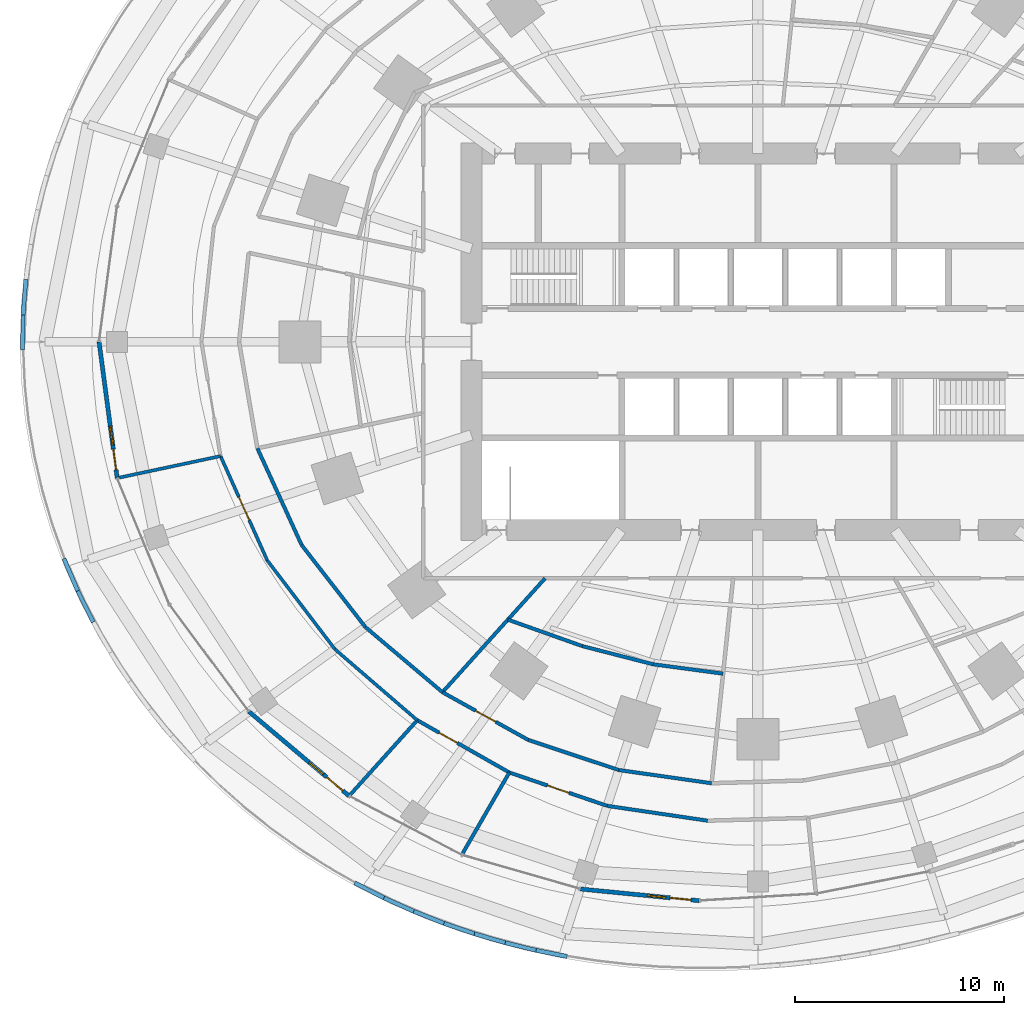
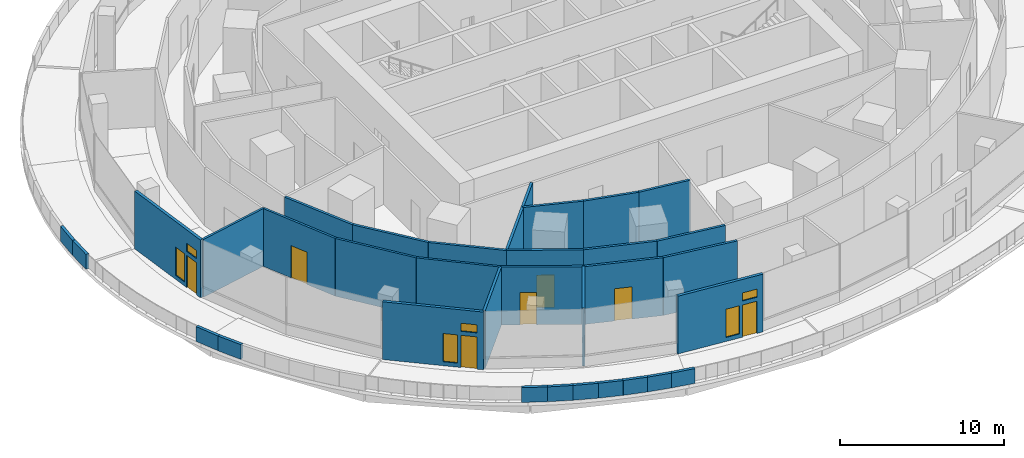
# One storey, part 16 of 26: 33 walls, 7 doors, 6 windows, 13 openings.
"""IFC4 building model written with IfcOpenShell, lengths in metres."""

from ifc_helpers import new_model, si_unit, direction, frame, frame_2d, origin, place, context, subcontext, project, spatial, rectangle, extrude, material, layer, layer_set, type_object, element, fill, save


model = new_model("IFC4")

# Units and contexts
model_context = context("Model", 3, precision=1e-05, world=origin(), true_north=direction((0.0, 1.0)))
body_context = subcontext(model_context, "Body", "Model", "MODEL_VIEW")
ifc_project = project(units=[si_unit("LENGTHUNIT", "METRE"), si_unit("AREAUNIT", "SQUARE_METRE"), si_unit("VOLUMEUNIT", "CUBIC_METRE"), si_unit("PLANEANGLEUNIT", "RADIAN"), si_unit("MASSUNIT", "GRAM", prefix="KILO")], contexts=[model_context])

# Site, building, storey
site_placement = place(None, origin())
site = spatial("IfcSite", under=ifc_project, at=site_placement, CompositionType="ELEMENT")
building_placement = place(site_placement, origin())
building = spatial("IfcBuilding", under=site, at=building_placement, Name="Marramba Exchange Tower", CompositionType="ELEMENT")
storey_placement = place(building_placement, frame((0.0, 0.0, 15.10009765625)))
storey = spatial("IfcBuildingStorey", under=building, at=storey_placement, Name="L03", CompositionType="ELEMENT", Elevation=15.10009765625)

# Walls
ifc_material_1 = material(Name="Plasterboard on staggered double steel studs, acoustic insulation", Category="steel")
ifc_layer_1 = layer(ifc_material_1, 0.169921875)
ifc_layer_set_1 = layer_set([ifc_layer_1], Name="Acoustic partition 170")
wall_type_1 = type_object("IfcWallType", Name="Acoustic partition 170", PredefinedType="PARTITIONING", material=ifc_layer_set_1)
wall_1_placement = place(storey_placement, frame((-21.816162109375, -9.713134765625, 0.0), z_axis=(0.0, 0.0, 1.0), x_axis=(-0.415942352912, 0.909390982501, 0.0)))
element("IfcWall", 1, at=wall_1_placement, inside=storey, type_object=wall_type_1, Name="Acoustic partition L03 07", PredefinedType="PARTITIONING", context=body_context, shape_type="SweptSolid", body=[
    extrude(rectangle(XDim=5.087158203125, YDim=0.169921875, at=frame_2d((2.54345703125, 0.0))), origin(), (0.0, 0.0, 1.0), 4.2998046875),
])
wall_2_placement = place(storey_placement, frame((-18.768310546875, -13.635986328125, 0.0), z_axis=(0.0, 0.0, 1.0), x_axis=(-0.613532245813, 0.789669667233, 0.0)))
element("IfcWall", 2, at=wall_2_placement, inside=storey, type_object=wall_type_1, Name="Acoustic partition L03 10", PredefinedType="PARTITIONING", context=body_context, shape_type="SweptSolid", body=[
    extrude(rectangle(XDim=4.9677734375, YDim=0.169921875, at=frame_2d((2.48388671875, 0.0))), origin(), (0.0, 0.0, 1.0), 4.2998046875),
])
wall_3_placement = place(storey_placement, frame((-15.082275390625, -16.75048828125, 0.0), z_axis=(0.0, 0.0, 1.0), x_axis=(-0.763840902497, 0.645404582935, 0.0)))
element("IfcWall", 3, at=wall_3_placement, inside=storey, type_object=wall_type_1, Name="Acoustic partition L03 12", PredefinedType="PARTITIONING", context=body_context, shape_type="SweptSolid", body=[
    extrude(rectangle(XDim=4.82568359375, YDim=0.169921875, at=frame_2d((2.412841796875, 0.0))), origin(), (0.0, 0.0, 1.0), 4.2998046875),
])
wall_4_placement = place(storey_placement, frame((-16.286865234375, -18.08837890625, 0.0), z_axis=(0.0, 0.0, 1.0), x_axis=(-0.669136360949, -0.74313964398, 0.0)))
element("IfcWall", 4, at=wall_4_placement, inside=storey, type_object=wall_type_1, Name="Acoustic partition L03 14", PredefinedType="PARTITIONING", context=body_context, shape_type="SweptSolid", body=[
    extrude(rectangle(XDim=4.79345703125, YDim=0.169921875, at=frame_2d((2.396728515625, 0.0))), origin(), (0.0, 0.0, 1.0), 4.2998046875),
])
wall_5_placement = place(storey_placement, frame((-10.174560546875, -11.300048828125, 0.0), z_axis=(0.0, 0.0, 1.0), x_axis=(-0.669139425, -0.743136885043, 0.0)))
element("IfcWall", 5, at=wall_5_placement, inside=storey, type_object=wall_type_1, Name="Acoustic partition L03 15", PredefinedType="PARTITIONING", context=body_context, shape_type="SweptSolid", body=[
    extrude(rectangle(XDim=7.33447265625, YDim=0.169921875, at=frame_2d((3.667236328125, 0.0))), origin(), (0.0, 0.0, 1.0), 4.2998046875),
])
wall_6_placement = place(storey_placement, frame((-8.39697265625, -14.5439453125, 0.0), z_axis=(0.0, 0.0, 1.0), x_axis=(-0.942296263641, 0.334780154023, 0.0)))
element("IfcWall", 6, at=wall_6_placement, inside=storey, type_object=wall_type_1, Name="Acoustic partition L03 16", PredefinedType="PARTITIONING", context=body_context, shape_type="SweptSolid", body=[
    extrude(rectangle(XDim=3.777587890625, YDim=0.169921875, at=frame_2d((1.888671875, 0.0))), origin(), (0.0, 0.0, 1.0), 4.2998046875),
])

# Wall, opening, door
wall_7_placement = place(storey_placement, frame((-10.98583984375, -19.0283203125, 0.0), z_axis=(0.0, 0.0, 1.0), x_axis=(-0.873972942057, 0.485974584266, 0.0)))
wall_7 = element("IfcWall", 7, at=wall_7_placement, inside=storey, type_object=wall_type_1, Name="Acoustic partition L03 17", PredefinedType="PARTITIONING", context=body_context, shape_type="SweptSolid", body=[
    extrude(rectangle(XDim=4.687255859375, YDim=0.169921875, at=frame_2d((2.34375, 0.0))), origin(), (0.0, 0.0, 1.0), 4.2998046875),
])
opening_1_placement = place(wall_7_placement, frame((1.76806640625, 0.0, 0.0)))
opening_1 = element("IfcOpeningElement", 8, at=opening_1_placement, cuts=wall_7, Name="Opening D15", PredefinedType="OPENING", context=body_context, shape_type="SweptSolid", body=[
    extrude(rectangle(XDim=1.10009765625, YDim=2.39990234375, at=frame_2d((0.550048828125, 1.199951171875))), frame((0.0, 0.094970703125, 0.0), z_axis=(0.0, -1.0, 0.0), x_axis=(1.0, 0.0, 0.0)), (0.0, 0.0, 1.0), 0.18994140625),
])
ifc_material_2 = material(Name="Timber door", Category="wood")
door_type_1 = type_object("IfcDoorType", Name="Glazed meeting room door 1100x2400", OperationType="SINGLE_SWING_LEFT", PredefinedType="DOOR", material=ifc_material_2)
door_1_placement = place(opening_1_placement, origin())
door_1 = element("IfcDoor", 9, at=door_1_placement, inside=storey, type_object=door_type_1, Name="D15 Meeting Room 7 L03", OperationType="SINGLE_SWING_RIGHT", OverallHeight=2.39990234375, OverallWidth=1.10009765625, PredefinedType="DOOR", context=body_context, shape_type="SweptSolid", body=[
    extrude(rectangle(XDim=1.10009765625, YDim=2.39990234375, at=frame_2d((0.550048828125, 1.199951171875))), frame((0.0, 0.02490234375, 0.0), z_axis=(0.0, -1.0, 0.0), x_axis=(1.0, 0.0, 0.0)), (0.0, 0.0, 1.0), 0.050048828125),
])
fill(opening_1, door_1)

wall_8_placement = place(storey_placement, frame((-16.286865234375, -18.08837890625, 0.0), z_axis=(0.0, 0.0, 1.0), x_axis=(0.869623219344, -0.493715967312, 0.0)))
wall_8 = element("IfcWall", 10, at=wall_8_placement, inside=storey, type_object=wall_type_1, Name="Acoustic partition L03 18", PredefinedType="PARTITIONING", context=body_context, shape_type="SweptSolid", body=[
    extrude(rectangle(XDim=5.060791015625, YDim=0.169921875, at=frame_2d((2.5302734375, 0.0))), origin(), (0.0, 0.0, 1.0), 4.2998046875),
])
opening_2_placement = place(wall_8_placement, frame((1.202880859375, 0.0, 0.0)))
opening_2 = element("IfcOpeningElement", 11, at=opening_2_placement, cuts=wall_8, Name="Opening D9", PredefinedType="OPENING", context=body_context, shape_type="SweptSolid", body=[
    extrude(rectangle(XDim=1.0, YDim=2.39990234375, at=frame_2d((0.5, 1.199951171875))), frame((0.0, 0.094970703125, 0.0), z_axis=(0.0, -1.0, 0.0), x_axis=(1.0, 0.0, 0.0)), (0.0, 0.0, 1.0), 0.18994140625),
])
door_type_2 = type_object("IfcDoorType", Name="Room door 1000x2400", OperationType="SINGLE_SWING_LEFT", PredefinedType="DOOR", material=ifc_material_2)
door_2_placement = place(opening_2_placement, frame((1.0, 0.0, 0.0), z_axis=(0.0, 0.0, 1.0), x_axis=(-1.0, 0.0, 0.0)))
door_2 = element("IfcDoor", 12, at=door_2_placement, inside=storey, type_object=door_type_2, Name="D9 Interview Room L03", OperationType="SINGLE_SWING_RIGHT", OverallHeight=2.39990234375, OverallWidth=1.0, PredefinedType="DOOR", context=body_context, shape_type="SweptSolid", body=[
    extrude(rectangle(XDim=1.0, YDim=2.39990234375, at=frame_2d((0.5, 1.199951171875))), frame((0.0, 0.025146484375, 0.0), z_axis=(0.0, -1.0, 0.0), x_axis=(1.0, 0.0, 0.0)), (0.0, 0.0, 1.0), 0.050048828125),
])
fill(opening_2, door_2)

# Walls
wall_9_placement = place(storey_placement, frame((-11.885986328125, -20.5869140625, 0.0), z_axis=(0.0, 0.0, 1.0), x_axis=(-0.499968249168, -0.86604373436, 0.0)))
element("IfcWall", 13, at=wall_9_placement, inside=storey, type_object=wall_type_1, Name="Acoustic partition L03 19", PredefinedType="PARTITIONING", context=body_context, shape_type="SweptSolid", body=[
    extrude(rectangle(XDim=4.470947265625, YDim=0.169921875, at=frame_2d((2.2353515625, 0.0))), origin(), (0.0, 0.0, 1.0), 4.2998046875),
])
wall_10_placement = place(storey_placement, frame((-5.00830078125, -15.414306640625, 0.0), z_axis=(0.0, 0.0, 1.0), x_axis=(-0.968562622374, 0.248769866625, 0.0)))
element("IfcWall", 14, at=wall_10_placement, inside=storey, type_object=wall_type_1, Name="Acoustic partition L03 20", PredefinedType="PARTITIONING", context=body_context, shape_type="SweptSolid", body=[
    extrude(rectangle(XDim=3.498779296875, YDim=0.169921875, at=frame_2d((1.74951171875, 0.0))), origin(), (0.0, 0.0, 1.0), 4.2998046875),
])
wall_11_placement = place(storey_placement, frame((-6.651123046875, -20.47021484375, 0.0), z_axis=(0.0, 0.0, 1.0), x_axis=(-0.94888085176, 0.315634486651, 0.0)))
element("IfcWall", 15, at=wall_11_placement, inside=storey, type_object=wall_type_1, Name="Acoustic partition L03 21", PredefinedType="PARTITIONING", context=body_context, shape_type="SweptSolid", body=[
    extrude(rectangle(XDim=4.568359375, YDim=0.169921875, at=frame_2d((2.2841796875, 0.0))), origin(), (0.0, 0.0, 1.0), 4.2998046875),
])

# Wall, opening, door
wall_12_placement = place(storey_placement, frame((-11.885986328125, -20.5869140625, 0.0), z_axis=(0.0, 0.0, 1.0), x_axis=(0.946492701998, -0.322725216034, 0.0)))
wall_12 = element("IfcWall", 16, at=wall_12_placement, inside=storey, type_object=wall_type_1, Name="Acoustic partition L03 22", PredefinedType="PARTITIONING", context=body_context, shape_type="SweptSolid", body=[
    extrude(rectangle(XDim=4.94287109375, YDim=0.169921875, at=frame_2d((2.471435546875, 0.0))), origin(), (0.0, 0.0, 1.0), 4.2998046875),
])
opening_3_placement = place(wall_12_placement, frame((1.9208984375, 0.0, 0.0)))
opening_3 = element("IfcOpeningElement", 17, at=opening_3_placement, cuts=wall_12, Name="Opening D15", PredefinedType="OPENING", context=body_context, shape_type="SweptSolid", body=[
    extrude(rectangle(XDim=1.10009765625, YDim=2.39990234375, at=frame_2d((0.550048828125, 1.199951171875))), frame((0.0, 0.094970703125, 0.0), z_axis=(0.0, -1.0, 0.0), x_axis=(1.0, 0.0, 0.0)), (0.0, 0.0, 1.0), 0.18994140625),
])
door_3_placement = place(opening_3_placement, origin())
door_3 = element("IfcDoor", 18, at=door_3_placement, inside=storey, type_object=door_type_1, Name="D15 Meeting Room 9 L03", OperationType="SINGLE_SWING_LEFT", OverallHeight=2.39990234375, OverallWidth=1.10009765625, PredefinedType="DOOR", context=body_context, shape_type="SweptSolid", body=[
    extrude(rectangle(XDim=1.10009765625, YDim=2.39990234375, at=frame_2d((0.550048828125, 1.199951171875))), frame((0.0, 0.02490234375, 0.0), z_axis=(0.0, -1.0, 0.0), x_axis=(1.0, 0.0, 0.0)), (0.0, 0.0, 1.0), 0.050048828125),
])
fill(opening_3, door_3)

# Walls
wall_13_placement = place(storey_placement, frame((-1.6669921875, -15.861083984375, 0.0), z_axis=(0.0, 0.0, 1.0), x_axis=(-0.991178495561, 0.132533731322, 0.0)))
element("IfcWall", 19, at=wall_13_placement, inside=storey, type_object=wall_type_1, Name="Acoustic partition L03 24", PredefinedType="PARTITIONING", context=body_context, shape_type="SweptSolid", body=[
    extrude(rectangle(XDim=3.37109375, YDim=0.169921875, at=frame_2d((1.685546875, 0.0))), origin(), (0.0, 0.0, 1.0), 4.2998046875),
])
wall_14_placement = place(storey_placement, frame((-2.2177734375, -21.1005859375, 0.0), z_axis=(0.0, 0.0, 1.0), x_axis=(-0.9900419663, 0.140772529158, 0.0)))
element("IfcWall", 20, at=wall_14_placement, inside=storey, type_object=wall_type_1, Name="Acoustic partition L03 25", PredefinedType="PARTITIONING", context=body_context, shape_type="SweptSolid", body=[
    extrude(rectangle(XDim=4.47802734375, YDim=0.169921875, at=frame_2d((2.239013671875, 0.0))), origin(), (0.0, 0.0, 1.0), 4.2998046875),
])
wall_15_placement = place(storey_placement, frame((-7.20751953125, -22.18212890625, 0.0), z_axis=(0.0, 0.0, 1.0), x_axis=(0.989288101059, -0.145976207316, 0.0)))
element("IfcWall", 21, at=wall_15_placement, inside=storey, type_object=wall_type_1, Name="Acoustic partition L03 26", PredefinedType="PARTITIONING", context=body_context, shape_type="SweptSolid", body=[
    extrude(rectangle(XDim=4.853515625, YDim=0.169921875, at=frame_2d((2.4267578125, 0.0))), origin(), (0.0, 0.0, 1.0), 4.2998046875),
])

# Wall, openings, door, windows
ifc_material_3 = material(Name="Aluminium-framed bronze cladding on steel studs", Category="steel")
ifc_layer_2 = layer(ifc_material_3, 0.199951171875)
ifc_layer_set_2 = layer_set([ifc_layer_2], Name="Door screen wall 200")
wall_type_2 = type_object("IfcWallType", Name="Door screen wall 200", PredefinedType="SOLIDWALL", material=ifc_layer_set_2)
wall_16_placement = place(storey_placement, frame((-31.5, 0.0, 0.0), z_axis=(0.0, 0.0, 1.0), x_axis=(0.131830186359, -0.991272314737, 0.0)))
wall_16 = element("IfcWall", 22, at=wall_16_placement, inside=storey, type_object=wall_type_2, Name="Door screen L03 F16", PredefinedType="SOLIDWALL", context=body_context, shape_type="SweptSolid", body=[
    extrude(rectangle(XDim=6.56884765625, YDim=0.199951171875, at=frame_2d((3.284423828125, 0.0))), origin(), (0.0, 0.0, 1.0), 4.2998046875),
])
opening_4_placement = place(wall_16_placement, frame((5.168701171875, 0.0, 0.0)))
opening_4 = element("IfcOpeningElement", 23, at=opening_4_placement, cuts=wall_16, Name="Opening D6", PredefinedType="OPENING", context=body_context, shape_type="SweptSolid", body=[
    extrude(rectangle(XDim=1.0, YDim=2.39990234375, at=frame_2d((0.5, 1.199951171875))), frame((0.0, 0.10986328125, 0.0), z_axis=(0.0, -1.0, 0.0), x_axis=(1.0, 0.0, 0.0)), (0.0, 0.0, 1.0), 0.219970703125),
])
opening_5_placement = place(wall_16_placement, frame((4.06884765625, 0.0, 0.300048828125)))
opening_5 = element("IfcOpeningElement", 24, at=opening_5_placement, cuts=wall_16, Name="Opening W4", PredefinedType="OPENING", context=body_context, shape_type="SweptSolid", body=[
    extrude(rectangle(XDim=0.89990234375, YDim=2.10009765625, at=frame_2d((0.449951171875, 1.050048828125))), frame((0.0, 0.10986328125, 0.0), z_axis=(0.0, -1.0, 0.0), x_axis=(1.0, 0.0, 0.0)), (0.0, 0.0, 1.0), 0.219970703125),
])
opening_6_placement = place(wall_16_placement, frame((5.168701171875, 0.0, 2.699951171875)))
opening_6 = element("IfcOpeningElement", 25, at=opening_6_placement, cuts=wall_16, Name="Opening W5", PredefinedType="OPENING", context=body_context, shape_type="SweptSolid", body=[
    extrude(rectangle(XDim=1.0, YDim=0.60009765625, at=frame_2d((0.5, 0.300048828125))), frame((0.0, 0.10986328125, 0.0), z_axis=(0.0, -1.0, 0.0), x_axis=(1.0, 0.0, 0.0)), (0.0, 0.0, 1.0), 0.219970703125),
])
ifc_material_4 = material(Name="Aluminium-framed glazed door, bronze", Category="aluminium")
door_type_3 = type_object("IfcDoorType", Name="Terrace door 1000x2400", OperationType="SINGLE_SWING_LEFT", PredefinedType="DOOR", material=ifc_material_4)
door_4_placement = place(opening_4_placement, frame((1.0, 0.0, 0.0), z_axis=(0.0, 0.0, 1.0), x_axis=(-1.0, 0.0, 0.0)))
door_4 = element("IfcDoor", 26, at=door_4_placement, inside=storey, type_object=door_type_3, Name="D6 L03", OperationType="SINGLE_SWING_RIGHT", OverallHeight=2.39990234375, OverallWidth=1.0, PredefinedType="DOOR", context=body_context, shape_type="SweptSolid", body=[
    extrude(rectangle(XDim=1.0, YDim=2.39990234375, at=frame_2d((0.5, 1.199951171875))), frame((0.0, 0.025146484375, 0.0), z_axis=(0.0, -1.0, 0.0), x_axis=(1.0, 0.0, 0.0)), (0.0, 0.0, 1.0), 0.050048828125),
])
fill(opening_4, door_4)
ifc_material_5 = material(Name="Aluminium-framed fixed light, bronze, double glazed", Category="aluminium")
window_type_1 = type_object("IfcWindowType", Name="Terrace sidelight 900x2100", PartitioningType="SINGLE_PANEL", PredefinedType="WINDOW", material=ifc_material_5)
window_1_placement = place(opening_5_placement, origin())
window_1 = element("IfcWindow", 27, at=window_1_placement, inside=storey, type_object=window_type_1, Name="W4 L03 F16 left", OverallHeight=2.10009765625, OverallWidth=0.89990234375, PartitioningType="SINGLE_PANEL", PredefinedType="WINDOW", context=body_context, shape_type="SweptSolid", body=[
    extrude(rectangle(XDim=0.89990234375, YDim=2.10009765625, at=frame_2d((0.449951171875, 1.050048828125))), frame((0.0, 0.030029296875, 0.0), z_axis=(0.0, -1.0, 0.0), x_axis=(1.0, 0.0, 0.0)), (0.0, 0.0, 1.0), 0.06005859375),
])
fill(opening_5, window_1)
window_type_2 = type_object("IfcWindowType", Name="Terrace transom light 1000x600", PartitioningType="SINGLE_PANEL", PredefinedType="WINDOW", material=ifc_material_5)
window_2_placement = place(opening_6_placement, origin())
window_2 = element("IfcWindow", 28, at=window_2_placement, inside=storey, type_object=window_type_2, Name="W5 L03 F16 over the door", OverallHeight=0.60009765625, OverallWidth=1.0, PartitioningType="SINGLE_PANEL", PredefinedType="WINDOW", context=body_context, shape_type="SweptSolid", body=[
    extrude(rectangle(XDim=1.0, YDim=0.60009765625, at=frame_2d((0.5, 0.300048828125))), frame((0.0, 0.030029296875, 0.0), z_axis=(0.0, -1.0, 0.0), x_axis=(1.0, 0.0, 0.0)), (0.0, 0.0, 1.0), 0.06005859375),
])
fill(opening_6, window_2)

wall_17_placement = place(storey_placement, frame((-24.332275390625, -17.678466796875, 0.0), z_axis=(0.0, 0.0, 1.0), x_axis=(0.764694610458, -0.644392855901, 0.0)))
wall_17 = element("IfcWall", 29, at=wall_17_placement, inside=storey, type_object=wall_type_2, Name="Door screen L03 F19", PredefinedType="SOLIDWALL", context=body_context, shape_type="SweptSolid", body=[
    extrude(rectangle(XDim=6.256591796875, YDim=0.199951171875, at=frame_2d((3.12841796875, 0.0))), origin(), (0.0, 0.0, 1.0), 4.2998046875),
])
opening_7_placement = place(wall_17_placement, frame((4.856689453125, 0.0, 0.0)))
opening_7 = element("IfcOpeningElement", 30, at=opening_7_placement, cuts=wall_17, Name="Opening D6", PredefinedType="OPENING", context=body_context, shape_type="SweptSolid", body=[
    extrude(rectangle(XDim=1.0, YDim=2.39990234375, at=frame_2d((0.5, 1.199951171875))), frame((0.0, 0.10986328125, 0.0), z_axis=(0.0, -1.0, 0.0), x_axis=(1.0, 0.0, 0.0)), (0.0, 0.0, 1.0), 0.219970703125),
])
opening_8_placement = place(wall_17_placement, frame((3.756591796875, 0.0, 0.300048828125)))
opening_8 = element("IfcOpeningElement", 31, at=opening_8_placement, cuts=wall_17, Name="Opening W4", PredefinedType="OPENING", context=body_context, shape_type="SweptSolid", body=[
    extrude(rectangle(XDim=0.89990234375, YDim=2.10009765625, at=frame_2d((0.449951171875, 1.050048828125))), frame((0.0, 0.10986328125, 0.0), z_axis=(0.0, -1.0, 0.0), x_axis=(1.0, 0.0, 0.0)), (0.0, 0.0, 1.0), 0.219970703125),
])
opening_9_placement = place(wall_17_placement, frame((4.856689453125, 0.0, 2.699951171875)))
opening_9 = element("IfcOpeningElement", 32, at=opening_9_placement, cuts=wall_17, Name="Opening W5", PredefinedType="OPENING", context=body_context, shape_type="SweptSolid", body=[
    extrude(rectangle(XDim=1.0, YDim=0.60009765625, at=frame_2d((0.5, 0.300048828125))), frame((0.0, 0.10986328125, 0.0), z_axis=(0.0, -1.0, 0.0), x_axis=(1.0, 0.0, 0.0)), (0.0, 0.0, 1.0), 0.219970703125),
])
door_5_placement = place(opening_7_placement, frame((1.0, 0.0, 0.0), z_axis=(0.0, 0.0, 1.0), x_axis=(-1.0, 0.0, 0.0)))
door_5 = element("IfcDoor", 33, at=door_5_placement, inside=storey, type_object=door_type_3, Name="D6 L03", OperationType="SINGLE_SWING_RIGHT", OverallHeight=2.39990234375, OverallWidth=1.0, PredefinedType="DOOR", context=body_context, shape_type="SweptSolid", body=[
    extrude(rectangle(XDim=1.0, YDim=2.39990234375, at=frame_2d((0.5, 1.199951171875))), frame((0.0, 0.025146484375, 0.0), z_axis=(0.0, -1.0, 0.0), x_axis=(1.0, 0.0, 0.0)), (0.0, 0.0, 1.0), 0.050048828125),
])
fill(opening_7, door_5)
window_3_placement = place(opening_8_placement, origin())
window_3 = element("IfcWindow", 34, at=window_3_placement, inside=storey, type_object=window_type_1, Name="W4 L03 F19 left", OverallHeight=2.10009765625, OverallWidth=0.89990234375, PartitioningType="SINGLE_PANEL", PredefinedType="WINDOW", context=body_context, shape_type="SweptSolid", body=[
    extrude(rectangle(XDim=0.89990234375, YDim=2.10009765625, at=frame_2d((0.449951171875, 1.050048828125))), frame((0.0, 0.030029296875, 0.0), z_axis=(0.0, -1.0, 0.0), x_axis=(1.0, 0.0, 0.0)), (0.0, 0.0, 1.0), 0.06005859375),
])
fill(opening_8, window_3)
window_4_placement = place(opening_9_placement, origin())
window_4 = element("IfcWindow", 35, at=window_4_placement, inside=storey, type_object=window_type_2, Name="W5 L03 F19 over the door", OverallHeight=0.60009765625, OverallWidth=1.0, PartitioningType="SINGLE_PANEL", PredefinedType="WINDOW", context=body_context, shape_type="SweptSolid", body=[
    extrude(rectangle(XDim=1.0, YDim=0.60009765625, at=frame_2d((0.5, 0.300048828125))), frame((0.0, 0.030029296875, 0.0), z_axis=(0.0, -1.0, 0.0), x_axis=(1.0, 0.0, 0.0)), (0.0, 0.0, 1.0), 0.06005859375),
])
fill(opening_9, window_4)

wall_18_placement = place(storey_placement, frame((-8.49853515625, -26.156005859375, 0.0), z_axis=(0.0, 0.0, 1.0), x_axis=(0.995196115254, -0.097901441172, 0.0)))
wall_18 = element("IfcWall", 36, at=wall_18_placement, inside=storey, type_object=wall_type_2, Name="Door screen L03 F22", PredefinedType="SOLIDWALL", context=body_context, shape_type="SweptSolid", body=[
    extrude(rectangle(XDim=5.71826171875, YDim=0.199951171875, at=frame_2d((2.859130859375, 0.0))), origin(), (0.0, 0.0, 1.0), 4.2998046875),
])
opening_10_placement = place(wall_18_placement, frame((4.318115234375, 0.0, 0.0)))
opening_10 = element("IfcOpeningElement", 37, at=opening_10_placement, cuts=wall_18, Name="Opening D6", PredefinedType="OPENING", context=body_context, shape_type="SweptSolid", body=[
    extrude(rectangle(XDim=1.0, YDim=2.39990234375, at=frame_2d((0.5, 1.199951171875))), frame((0.0, 0.10986328125, 0.0), z_axis=(0.0, -1.0, 0.0), x_axis=(1.0, 0.0, 0.0)), (0.0, 0.0, 1.0), 0.219970703125),
])
opening_11_placement = place(wall_18_placement, frame((3.218017578125, 0.0, 0.300048828125)))
opening_11 = element("IfcOpeningElement", 38, at=opening_11_placement, cuts=wall_18, Name="Opening W4", PredefinedType="OPENING", context=body_context, shape_type="SweptSolid", body=[
    extrude(rectangle(XDim=0.89990234375, YDim=2.10009765625, at=frame_2d((0.449951171875, 1.050048828125))), frame((0.0, 0.10986328125, 0.0), z_axis=(0.0, -1.0, 0.0), x_axis=(1.0, 0.0, 0.0)), (0.0, 0.0, 1.0), 0.219970703125),
])
opening_12_placement = place(wall_18_placement, frame((4.318115234375, 0.0, 2.699951171875)))
opening_12 = element("IfcOpeningElement", 39, at=opening_12_placement, cuts=wall_18, Name="Opening W5", PredefinedType="OPENING", context=body_context, shape_type="SweptSolid", body=[
    extrude(rectangle(XDim=1.0, YDim=0.60009765625, at=frame_2d((0.5, 0.300048828125))), frame((0.0, 0.10986328125, 0.0), z_axis=(0.0, -1.0, 0.0), x_axis=(1.0, 0.0, 0.0)), (0.0, 0.0, 1.0), 0.219970703125),
])
door_6_placement = place(opening_10_placement, frame((1.0, 0.0, 0.0), z_axis=(0.0, 0.0, 1.0), x_axis=(-1.0, 0.0, 0.0)))
door_6 = element("IfcDoor", 40, at=door_6_placement, inside=storey, type_object=door_type_3, Name="D6 L03", OperationType="SINGLE_SWING_RIGHT", OverallHeight=2.39990234375, OverallWidth=1.0, PredefinedType="DOOR", context=body_context, shape_type="SweptSolid", body=[
    extrude(rectangle(XDim=1.0, YDim=2.39990234375, at=frame_2d((0.5, 1.199951171875))), frame((0.0, 0.025146484375, 0.0), z_axis=(0.0, -1.0, 0.0), x_axis=(1.0, 0.0, 0.0)), (0.0, 0.0, 1.0), 0.050048828125),
])
fill(opening_10, door_6)
window_5_placement = place(opening_11_placement, origin())
window_5 = element("IfcWindow", 41, at=window_5_placement, inside=storey, type_object=window_type_1, Name="W4 L03 F22 left", OverallHeight=2.10009765625, OverallWidth=0.89990234375, PartitioningType="SINGLE_PANEL", PredefinedType="WINDOW", context=body_context, shape_type="SweptSolid", body=[
    extrude(rectangle(XDim=0.89990234375, YDim=2.10009765625, at=frame_2d((0.449951171875, 1.050048828125))), frame((0.0, 0.030029296875, 0.0), z_axis=(0.0, -1.0, 0.0), x_axis=(1.0, 0.0, 0.0)), (0.0, 0.0, 1.0), 0.06005859375),
])
fill(opening_11, window_5)
window_6_placement = place(opening_12_placement, origin())
window_6 = element("IfcWindow", 42, at=window_6_placement, inside=storey, type_object=window_type_2, Name="W5 L03 F22 over the door", OverallHeight=0.60009765625, OverallWidth=1.0, PartitioningType="SINGLE_PANEL", PredefinedType="WINDOW", context=body_context, shape_type="SweptSolid", body=[
    extrude(rectangle(XDim=1.0, YDim=0.60009765625, at=frame_2d((0.5, 0.300048828125))), frame((0.0, 0.030029296875, 0.0), z_axis=(0.0, -1.0, 0.0), x_axis=(1.0, 0.0, 0.0)), (0.0, 0.0, 1.0), 0.06005859375),
])
fill(opening_12, window_6)

# Walls
ifc_material_6 = material(Name="Concrete N40", Category="concrete")
ifc_layer_3 = layer(ifc_material_6, 0.199951171875)
ifc_layer_set_3 = layer_set([ifc_layer_3], Name="Roof parapet 200")
wall_type_3 = type_object("IfcWallType", Name="Roof parapet 200", PredefinedType="PARAPET", material=ifc_layer_set_3)
wall_19_placement = place(storey_placement, frame((-35.000732421875, 2.980224609375, 0.0), z_axis=(0.0, 0.0, 1.0), x_axis=(-0.076486816349, -0.997070592749, 0.0)))
element("IfcWall", 43, at=wall_19_placement, inside=storey, type_object=wall_type_3, Name="Parapet L03 bay 10", PredefinedType="PARAPET", context=body_context, shape_type="SweptSolid", body=[
    extrude(rectangle(XDim=1.691650390625, YDim=0.199951171875, at=frame_2d((0.845703125, 0.0))), origin(), (0.0, 0.0, 1.0), 1.099853515625),
])
wall_20_placement = place(storey_placement, frame((-35.130126953125, 1.29345703125, 0.0), z_axis=(0.0, 0.0, 1.0), x_axis=(-0.016012951677, -0.99987178447, 0.0)))
element("IfcWall", 44, at=wall_20_placement, inside=storey, type_object=wall_type_3, Name="Parapet L03 bay 10", PredefinedType="PARAPET", context=body_context, shape_type="SweptSolid", body=[
    extrude(rectangle(XDim=1.6923828125, YDim=0.199951171875, at=frame_2d((0.84619140625, 0.0))), origin(), (0.0, 0.0, 1.0), 1.099853515625),
])
wall_21_placement = place(storey_placement, frame((-33.181396484375, -10.36181640625, 0.0), z_axis=(0.0, 0.0, 1.0), x_axis=(0.393462645444, -0.919340604259, 0.0)))
element("IfcWall", 45, at=wall_21_placement, inside=storey, type_object=wall_type_3, Name="Parapet L03 bay 12", PredefinedType="PARAPET", context=body_context, shape_type="SweptSolid", body=[
    extrude(rectangle(XDim=1.677734375, YDim=0.199951171875, at=frame_2d((0.8388671875, 0.0))), origin(), (0.0, 0.0, 1.0), 1.099853515625),
])
wall_22_placement = place(storey_placement, frame((-32.521240234375, -11.904296875, 0.0), z_axis=(0.0, 0.0, 1.0), x_axis=(0.445752950689, -0.895156023804, 0.0)))
element("IfcWall", 46, at=wall_22_placement, inside=storey, type_object=wall_type_3, Name="Parapet L03 bay 12", PredefinedType="PARAPET", context=body_context, shape_type="SweptSolid", body=[
    extrude(rectangle(XDim=1.672119140625, YDim=0.199951171875, at=frame_2d((0.8359375, 0.0))), origin(), (0.0, 0.0, 1.0), 1.099853515625),
])
wall_23_placement = place(storey_placement, frame((-19.28466796875, -25.864013671875, 0.0), z_axis=(0.0, 0.0, 1.0), x_axis=(0.890360687019, -0.45525580393, 0.0)))
element("IfcWall", 47, at=wall_23_placement, inside=storey, type_object=wall_type_3, Name="Parapet L03 bay 14", PredefinedType="PARAPET", context=body_context, shape_type="SweptSolid", body=[
    extrude(rectangle(XDim=1.574951171875, YDim=0.199951171875, at=frame_2d((0.78759765625, 0.0))), origin(), (0.0, 0.0, 1.0), 1.099853515625),
])
wall_24_placement = place(storey_placement, frame((-17.88232421875, -26.5810546875, 0.0), z_axis=(0.0, 0.0, 1.0), x_axis=(0.911368711004, -0.411590904422, 0.0)))
element("IfcWall", 48, at=wall_24_placement, inside=storey, type_object=wall_type_3, Name="Parapet L03 bay 14", PredefinedType="PARAPET", context=body_context, shape_type="SweptSolid", body=[
    extrude(rectangle(XDim=1.564208984375, YDim=0.199951171875, at=frame_2d((0.7822265625, 0.0))), origin(), (0.0, 0.0, 1.0), 1.099853515625),
])
wall_25_placement = place(storey_placement, frame((-16.456787109375, -27.224853515625, 0.0), z_axis=(0.0, 0.0, 1.0), x_axis=(0.929825664331, -0.368000317869, 0.0)))
element("IfcWall", 49, at=wall_25_placement, inside=storey, type_object=wall_type_3, Name="Parapet L03 bay 14", PredefinedType="PARAPET", context=body_context, shape_type="SweptSolid", body=[
    extrude(rectangle(XDim=1.552978515625, YDim=0.199951171875, at=frame_2d((0.7763671875, 0.0))), origin(), (0.0, 0.0, 1.0), 1.099853515625),
])
wall_26_placement = place(storey_placement, frame((-15.0126953125, -27.79638671875, 0.0), z_axis=(0.0, 0.0, 1.0), x_axis=(0.945957049252, -0.324291937875, 0.0)))
element("IfcWall", 50, at=wall_26_placement, inside=storey, type_object=wall_type_3, Name="Parapet L03 bay 14", PredefinedType="PARAPET", context=body_context, shape_type="SweptSolid", body=[
    extrude(rectangle(XDim=1.541748046875, YDim=0.199951171875, at=frame_2d((0.77099609375, 0.0))), origin(), (0.0, 0.0, 1.0), 1.099853515625),
])
wall_27_placement = place(storey_placement, frame((-13.55419921875, -28.29638671875, 0.0), z_axis=(0.0, 0.0, 1.0), x_axis=(0.959697544778, -0.281034913395, 0.0)))
element("IfcWall", 51, at=wall_27_placement, inside=storey, type_object=wall_type_3, Name="Parapet L03 bay 14", PredefinedType="PARAPET", context=body_context, shape_type="SweptSolid", body=[
    extrude(rectangle(XDim=1.53076171875, YDim=0.199951171875, at=frame_2d((0.765380859375, 0.0))), origin(), (0.0, 0.0, 1.0), 1.099853515625),
])
wall_28_placement = place(storey_placement, frame((-12.085205078125, -28.7265625, 0.0), z_axis=(0.0, 0.0, 1.0), x_axis=(0.971210142859, -0.238224386679, 0.0)))
element("IfcWall", 52, at=wall_28_placement, inside=storey, type_object=wall_type_3, Name="Parapet L03 bay 14", PredefinedType="PARAPET", context=body_context, shape_type="SweptSolid", body=[
    extrude(rectangle(XDim=1.519775390625, YDim=0.199951171875, at=frame_2d((0.759765625, 0.0))), origin(), (0.0, 0.0, 1.0), 1.099853515625),
])
wall_29_placement = place(storey_placement, frame((-10.609130859375, -29.088623046875, 0.0), z_axis=(0.0, 0.0, 1.0), x_axis=(0.980655268126, -0.195742803437, 0.0)))
element("IfcWall", 53, at=wall_29_placement, inside=storey, type_object=wall_type_3, Name="Parapet L03 bay 14", PredefinedType="PARAPET", context=body_context, shape_type="SweptSolid", body=[
    extrude(rectangle(XDim=1.50927734375, YDim=0.199951171875, at=frame_2d((0.754638671875, 0.0))), origin(), (0.0, 0.0, 1.0), 1.099853515625),
])
ifc_material_7 = material(Name="Fire-rated plasterboard on steel studs, acoustic insulation", Category="steel")
ifc_layer_4 = layer(ifc_material_7, 0.14990234375)
ifc_layer_set_4 = layer_set([ifc_layer_4], Name="Tenancy wall 150")
wall_type_4 = type_object("IfcWallType", Name="Tenancy wall 150", PredefinedType="PARTITIONING", material=ifc_layer_set_4)
wall_30_placement = place(storey_placement, frame((-25.692626953125, -5.461181640625, 0.0), z_axis=(0.0, 0.0, 1.0), x_axis=(-0.978146743391, -0.207915724259, 0.0)))
element("IfcWall", 54, at=wall_30_placement, inside=storey, type_object=wall_type_4, Name="Tenancy wall L03 06", PredefinedType="PARTITIONING", context=body_context, shape_type="SweptSolid", body=[
    extrude(rectangle(XDim=4.9716796875, YDim=0.14990234375, at=frame_2d((2.48583984375, 0.0))), origin(), (0.0, 0.0, 1.0), 4.2998046875),
])

# Wall, opening, door
wall_31_placement = place(storey_placement, frame((-25.692626953125, -5.461181640625, 0.0), z_axis=(0.0, 0.0, 1.0), x_axis=(0.408737544403, -0.912651970795, 0.0)))
wall_31 = element("IfcWall", 55, at=wall_31_placement, inside=storey, type_object=wall_type_4, Name="Tenancy wall L03 08", PredefinedType="PARTITIONING", context=body_context, shape_type="SweptSolid", body=[
    extrude(rectangle(XDim=5.461181640625, YDim=0.14990234375, at=frame_2d((2.73046875, 0.0))), origin(), (0.0, 0.0, 1.0), 4.2998046875),
])
opening_13_placement = place(wall_31_placement, frame((2.156005859375, 0.0, 0.0)))
opening_13 = element("IfcOpeningElement", 56, at=opening_13_placement, cuts=wall_31, Name="Opening D13", PredefinedType="OPENING", context=body_context, shape_type="SweptSolid", body=[
    extrude(rectangle(XDim=1.199951171875, YDim=2.39990234375, at=frame_2d((0.60009765625, 1.199951171875))), frame((0.0, 0.0849609375, 0.0), z_axis=(0.0, -1.0, 0.0), x_axis=(1.0, 0.0, 0.0)), (0.0, 0.0, 1.0), 0.169921875),
])
ifc_material_8 = material(Name="Steel-framed door", Category="steel")
door_type_4 = type_object("IfcDoorType", Name="Tenancy entry door 1200x2400", OperationType="SINGLE_SWING_LEFT", PredefinedType="DOOR", material=ifc_material_8)
door_7_placement = place(opening_13_placement, origin())
door_7 = element("IfcDoor", 57, at=door_7_placement, inside=storey, type_object=door_type_4, Name="D13 Human Resources Office L03", OperationType="SINGLE_SWING_LEFT", OverallHeight=2.39990234375, OverallWidth=1.199951171875, PredefinedType="DOOR", context=body_context, shape_type="SweptSolid", body=[
    extrude(rectangle(XDim=1.199951171875, YDim=2.39990234375, at=frame_2d((0.60009765625, 1.199951171875))), frame((0.0, 0.02490234375, 0.0), z_axis=(0.0, -1.0, 0.0), x_axis=(1.0, 0.0, 0.0)), (0.0, 0.0, 1.0), 0.050048828125),
])
fill(opening_13, door_7)

# Walls
wall_32_placement = place(storey_placement, frame((-23.46044921875, -10.4453125, 0.0), z_axis=(0.0, 0.0, 1.0), x_axis=(0.605937156355, -0.795512515646, 0.0)))
element("IfcWall", 58, at=wall_32_placement, inside=storey, type_object=wall_type_4, Name="Tenancy wall L03 11", PredefinedType="PARTITIONING", context=body_context, shape_type="SweptSolid", body=[
    extrude(rectangle(XDim=5.340576171875, YDim=0.14990234375, at=frame_2d((2.67041015625, 0.0))), origin(), (0.0, 0.0, 1.0), 4.2998046875),
])
wall_33_placement = place(storey_placement, frame((-20.224365234375, -14.69384765625, 0.0), z_axis=(0.0, 0.0, 1.0), x_axis=(0.757397147913, -0.652954485652, 0.0)))
element("IfcWall", 59, at=wall_33_placement, inside=storey, type_object=wall_type_4, Name="Tenancy wall L03 13", PredefinedType="PARTITIONING", context=body_context, shape_type="SweptSolid", body=[
    extrude(rectangle(XDim=5.19873046875, YDim=0.14990234375, at=frame_2d((2.599365234375, 0.0))), origin(), (0.0, 0.0, 1.0), 4.2998046875),
])

save(model, "model.ifc")
